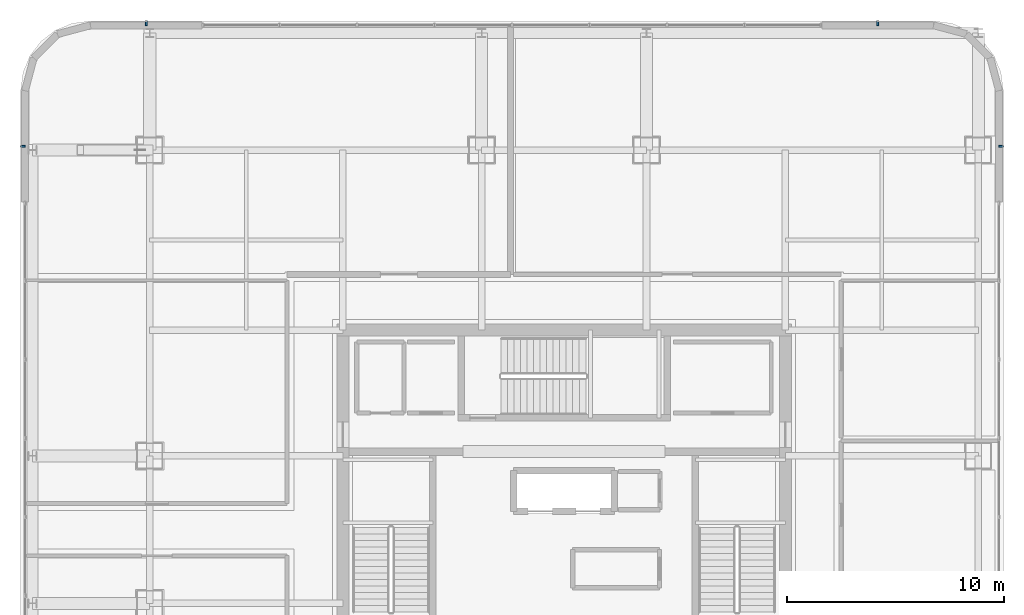
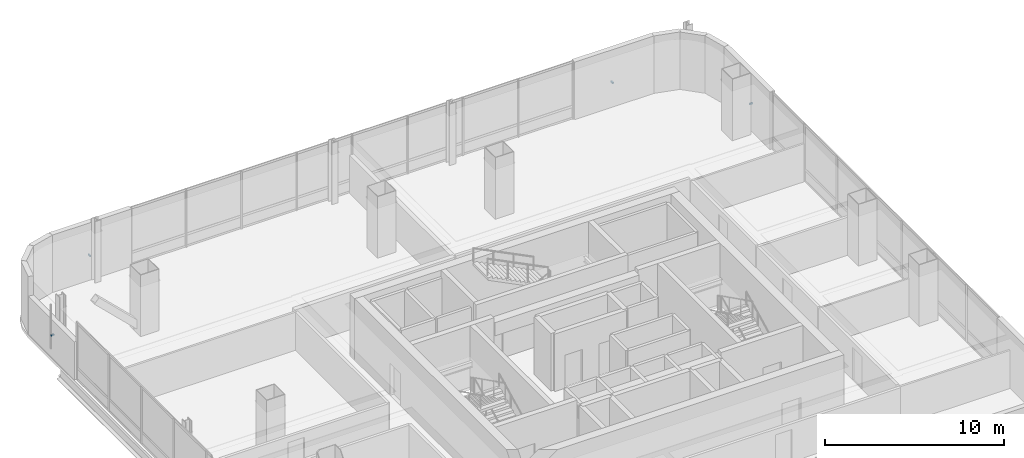
# One storey, part 38 of 51: 4 discrete accessories.
"""IFC4 building model written with IfcOpenShell, lengths in metres."""

from ifc_helpers import new_model, si_unit, direction, frame, origin, origin_2d, place, context, subcontext, project, spatial, rectangle, extrude, material, type_object, element, save


model = new_model("IFC4")

# Units and contexts
model_context = context("Model", 3, precision=1e-05, world=origin(), true_north=direction((0.0, 1.0)))
body_context = subcontext(model_context, "Body", "Model", "MODEL_VIEW")
ifc_project = project(units=[si_unit("LENGTHUNIT", "METRE"), si_unit("AREAUNIT", "SQUARE_METRE"), si_unit("VOLUMEUNIT", "CUBIC_METRE"), si_unit("PLANEANGLEUNIT", "RADIAN"), si_unit("MASSUNIT", "GRAM", prefix="KILO")], contexts=[model_context])

# Site, building, storey
site_placement = place(None, origin())
site = spatial("IfcSite", under=ifc_project, at=site_placement, CompositionType="ELEMENT")
building_placement = place(site_placement, origin())
building = spatial("IfcBuilding", under=site, at=building_placement, Name="Punatoya Terracotta Tower", CompositionType="ELEMENT")
storey_placement = place(building_placement, frame((0.0, 0.0, 313.199951171875)))
storey = spatial("IfcBuildingStorey", under=building, at=storey_placement, Name="L74", CompositionType="ELEMENT", Elevation=313.199951171875)

# Discrete accessories
ifc_material = material(Name="Steel S355", Category="steel")
discrete_accessory_type = type_object("IfcDiscreteAccessoryType", Name="ACC-BRK-220", PredefinedType="BRACKET", material=ifc_material)
for number, where, z_axis, x_axis, name in (
    (1, (20.14990234375, 17.66845703125, 1.449951171875), (0.0, 0.0, 1.0), (0.0, 1.0, 0.0), "L74 Jali Fin Support Bracket E2"),
    (2, (14.468505859375, 23.35009765625, 1.449951171875), (0.0, 0.0, 1.0), (-1.0, 0.0, 0.0), "L74 Jali Fin Support Bracket N1"),
    (3, (-19.2685546875, 23.35009765625, 1.449951171875), (0.0, 0.0, 1.0), (-1.0, 0.0, 0.0), "L74 Jali Fin Support Bracket N2"),
    (4, (-24.949951171875, 17.66845703125, 1.449951171875), (0.0, 0.0, 1.0), (0.0, -1.0, 0.0), "L74 Jali Fin Support Bracket W1"),
):
    element("IfcDiscreteAccessory", number, at=place(storey_placement, frame(where, z_axis=z_axis, x_axis=x_axis)), inside=storey, type_object=discrete_accessory_type, Name=name, PredefinedType="BRACKET", context=body_context, shape_type="SweptSolid", body=[
        extrude(rectangle(XDim=0.090087890625, YDim=0.219970703125, at=origin_2d()), origin(), (0.0, 0.0, 1.0), 0.10009765625),
    ])

save(model, "model.ifc")
